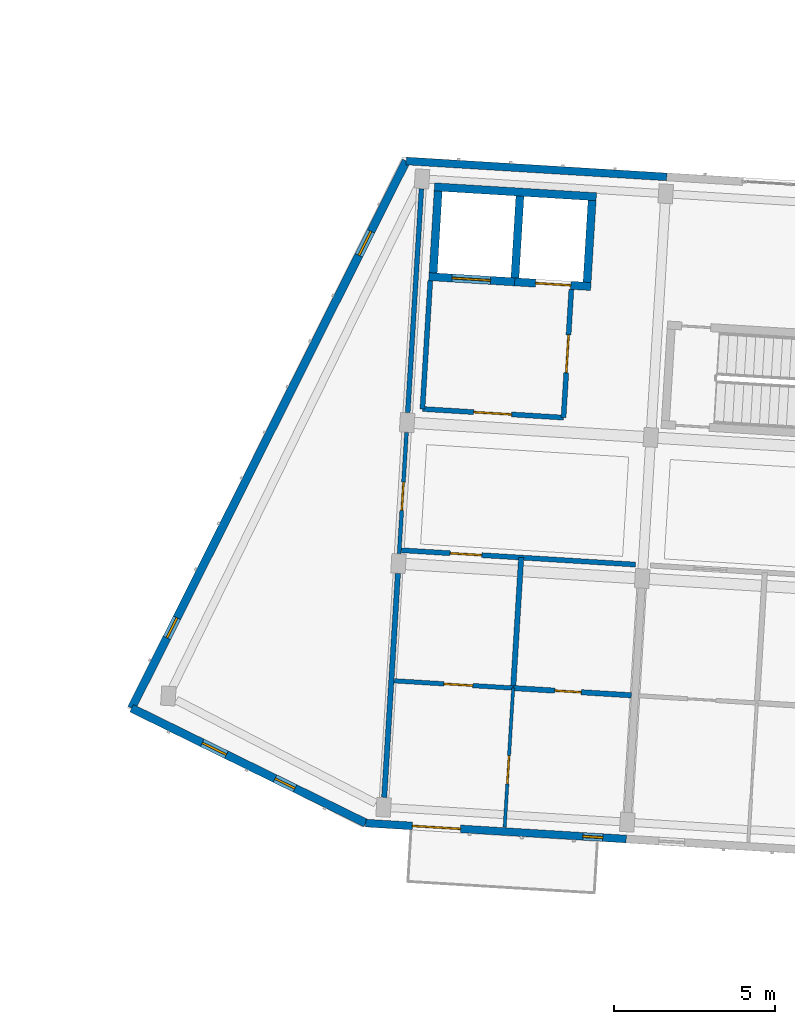
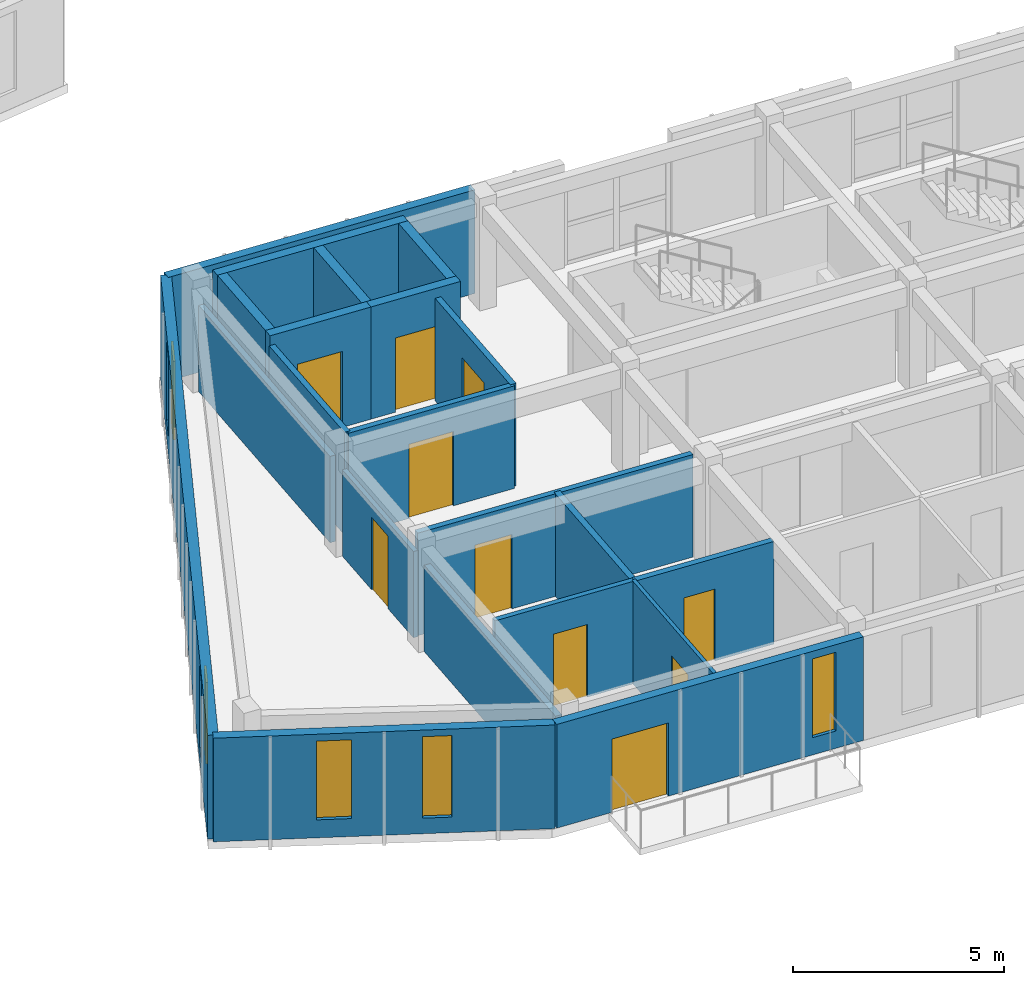
# One storey, part 19 of 56: 21 walls, 10 doors, 5 windows, 15 openings.
"""IFC4 building model written with IfcOpenShell, lengths in metres."""

from ifc_helpers import new_model, si_unit, direction, frame, frame_2d, origin, place, context, subcontext, project, spatial, rectangle, extrude, material, layer, layer_set, type_object, element, fill, save


model = new_model("IFC4")

# Units and contexts
model_context = context("Model", 3, precision=1e-05, world=origin(), true_north=direction((0.0, 1.0)))
body_context = subcontext(model_context, "Body", "Model", "MODEL_VIEW")
ifc_project = project(units=[si_unit("LENGTHUNIT", "METRE"), si_unit("AREAUNIT", "SQUARE_METRE"), si_unit("VOLUMEUNIT", "CUBIC_METRE"), si_unit("PLANEANGLEUNIT", "RADIAN"), si_unit("MASSUNIT", "GRAM", prefix="KILO")], contexts=[model_context])

# Site, building, storey
site_placement = place(None, origin())
site = spatial("IfcSite", under=ifc_project, at=site_placement, CompositionType="ELEMENT")
building_placement = place(site_placement, origin())
building = spatial("IfcBuilding", under=site, at=building_placement, Name="Kestramere Prow Commons", CompositionType="ELEMENT")
storey_placement = place(building_placement, frame((0.0, 0.0, 27.89990234375)))
storey = spatial("IfcBuildingStorey", under=building, at=storey_placement, Name="L08", CompositionType="ELEMENT", Elevation=27.89990234375)

# Wall, openings, windows
ifc_material_1 = material(Name="Weathered Zinc-Titanium Standing-Seam Cladding")
ifc_layer_1 = layer(ifc_material_1, 0.260009765625)
ifc_layer_set_1 = layer_set([ifc_layer_1], Name="Weathered Zinc-Titanium Standing-Seam Cladding")
wall_type_1 = type_object("IfcWallType", Name="EW-PROW-260", PredefinedType="SOLIDWALL", material=ifc_layer_set_1)
wall_1_placement = place(storey_placement, frame((58.94384765625, 46.008056640625, 0.0), z_axis=(0.0, 0.0, 1.0), x_axis=(-0.897775054318, 0.440454256246, 0.0)))
wall_1 = element("IfcWall", 1, at=wall_1_placement, inside=storey, type_object=wall_type_1, Name="Block C L08 PRW-S Facet Wall", PredefinedType="SOLIDWALL", context=body_context, shape_type="SweptSolid", body=[
    extrude(rectangle(XDim=8.120361328125, YDim=0.260009765625, at=frame_2d((4.06005859375, 0.0))), origin(), (0.0, 0.0, 1.0), 3.0),
])
opening_1_placement = place(wall_1_placement, frame((2.449951171875, 0.0, 0.449951171875)))
opening_1 = element("IfcOpeningElement", 2, at=opening_1_placement, cuts=wall_1, Name="Opening WN-07", PredefinedType="OPENING", context=body_context, shape_type="SweptSolid", body=[
    extrude(rectangle(XDim=0.699951171875, YDim=2.360107421875, at=frame_2d((0.35009765625, 1.18017578125))), frame((0.0, 0.14501953125, 0.0), z_axis=(0.0, -1.0, 0.0), x_axis=(1.0, 0.0, 0.0)), (0.0, 0.0, 1.0), 0.2900390625),
])
opening_2_placement = place(wall_1_placement, frame((4.830322265625, 0.0, 0.52001953125)))
opening_2 = element("IfcOpeningElement", 3, at=opening_2_placement, cuts=wall_1, Name="Opening WN-14", PredefinedType="OPENING", context=body_context, shape_type="SweptSolid", body=[
    extrude(rectangle(XDim=0.840087890625, YDim=2.280029296875, at=frame_2d((0.419921875, 1.14013671875))), frame((0.0, 0.14501953125, 0.0), z_axis=(0.0, -1.0, 0.0), x_axis=(1.0, 0.0, 0.0)), (0.0, 0.0, 1.0), 0.2900390625),
])
ifc_material_2 = material(Name="Low-E Laminated Double Glazing", Category="glass")
window_type_1 = type_object("IfcWindowType", Name="WN-NAR-700A", PartitioningType="SINGLE_PANEL", PredefinedType="WINDOW", material=ifc_material_2)
window_1_placement = place(opening_1_placement, origin())
window_1 = element("IfcWindow", 4, at=window_1_placement, inside=storey, type_object=window_type_1, Name="WN-C-L08-PRW-S-0", OverallHeight=2.360107421875, OverallWidth=0.699951171875, PartitioningType="SINGLE_PANEL", PredefinedType="WINDOW", context=body_context, shape_type="SweptSolid", body=[
    extrude(rectangle(XDim=0.699951171875, YDim=2.360107421875, at=frame_2d((0.35009765625, 1.18017578125))), frame((0.0, 0.030029296875, 0.0), z_axis=(0.0, -1.0, 0.0), x_axis=(1.0, 0.0, 0.0)), (0.0, 0.0, 1.0), 0.06005859375),
])
fill(opening_1, window_1)
window_type_2 = type_object("IfcWindowType", Name="WN-NAR-840A", PartitioningType="DOUBLE_PANEL_VERTICAL", PredefinedType="WINDOW", material=ifc_material_2)
window_2_placement = place(opening_2_placement, origin())
window_2 = element("IfcWindow", 5, at=window_2_placement, inside=storey, type_object=window_type_2, Name="WN-C-L08-PRW-S-1", OverallHeight=2.280029296875, OverallWidth=0.840087890625, PartitioningType="SINGLE_PANEL", PredefinedType="WINDOW", context=body_context, shape_type="SweptSolid", body=[
    extrude(rectangle(XDim=0.840087890625, YDim=2.280029296875, at=frame_2d((0.419921875, 1.14013671875))), frame((0.0, 0.030029296875, 0.0), z_axis=(0.0, -1.0, 0.0), x_axis=(1.0, 0.0, 0.0)), (0.0, 0.0, 1.0), 0.06005859375),
])
fill(opening_2, window_2)

wall_2_placement = place(storey_placement, frame((51.653564453125, 49.584716796875, 0.0), z_axis=(0.0, 0.0, 1.0), x_axis=(0.448621989068, 0.893721607059, 0.0)))
wall_2 = element("IfcWall", 6, at=wall_2_placement, inside=storey, type_object=wall_type_1, Name="Block C L08 PRW-N Facet Wall", PredefinedType="SOLIDWALL", context=body_context, shape_type="SweptSolid", body=[
    extrude(rectangle(XDim=19.060546875, YDim=0.260009765625, at=frame_2d((9.5302734375, 0.0))), origin(), (0.0, 0.0, 1.0), 3.0),
])
opening_3_placement = place(wall_2_placement, frame((2.449951171875, 0.0, 0.449951171875)))
opening_3 = element("IfcOpeningElement", 7, at=opening_3_placement, cuts=wall_2, Name="Opening WN-07", PredefinedType="OPENING", context=body_context, shape_type="SweptSolid", body=[
    extrude(rectangle(XDim=0.699951171875, YDim=2.360107421875, at=frame_2d((0.35009765625, 1.18017578125))), frame((0.0, 0.14501953125, 0.0), z_axis=(0.0, -1.0, 0.0), x_axis=(1.0, 0.0, 0.0)), (0.0, 0.0, 1.0), 0.2900390625),
])
opening_4_placement = place(wall_2_placement, frame((15.7705078125, 0.0, 0.52001953125)))
opening_4 = element("IfcOpeningElement", 8, at=opening_4_placement, cuts=wall_2, Name="Opening WN-14", PredefinedType="OPENING", context=body_context, shape_type="SweptSolid", body=[
    extrude(rectangle(XDim=0.840087890625, YDim=2.280029296875, at=frame_2d((0.419921875, 1.14013671875))), frame((0.0, 0.14501953125, 0.0), z_axis=(0.0, -1.0, 0.0), x_axis=(1.0, 0.0, 0.0)), (0.0, 0.0, 1.0), 0.2900390625),
])
window_3_placement = place(opening_3_placement, origin())
window_3 = element("IfcWindow", 9, at=window_3_placement, inside=storey, type_object=window_type_1, Name="WN-C-L08-PRW-N-0", OverallHeight=2.360107421875, OverallWidth=0.699951171875, PartitioningType="SINGLE_PANEL", PredefinedType="WINDOW", context=body_context, shape_type="SweptSolid", body=[
    extrude(rectangle(XDim=0.699951171875, YDim=2.360107421875, at=frame_2d((0.35009765625, 1.18017578125))), frame((0.0, 0.030029296875, 0.0), z_axis=(0.0, -1.0, 0.0), x_axis=(1.0, 0.0, 0.0)), (0.0, 0.0, 1.0), 0.06005859375),
])
fill(opening_3, window_3)
window_4_placement = place(opening_4_placement, origin())
window_4 = element("IfcWindow", 10, at=window_4_placement, inside=storey, type_object=window_type_2, Name="WN-C-L08-PRW-N-1", OverallHeight=2.280029296875, OverallWidth=0.840087890625, PartitioningType="SINGLE_PANEL", PredefinedType="WINDOW", context=body_context, shape_type="SweptSolid", body=[
    extrude(rectangle(XDim=0.840087890625, YDim=2.280029296875, at=frame_2d((0.419921875, 1.14013671875))), frame((0.0, 0.030029296875, 0.0), z_axis=(0.0, -1.0, 0.0), x_axis=(1.0, 0.0, 0.0)), (0.0, 0.0, 1.0), 0.06005859375),
])
fill(opening_4, window_4)

# Wall, openings, door, window
ifc_material_3 = material(Name="Fluoropolymer Standing-Seam Zinc-Aluminium Cladding", Category="aluminium")
ifc_layer_2 = layer(ifc_material_3, 0.239990234375)
ifc_layer_set_2 = layer_set([ifc_layer_2], Name="Fluoropolymer Standing-Seam Zinc-Aluminium Cladding")
wall_type_2 = type_object("IfcWallType", Name="EW-SEAM-240", PredefinedType="SOLIDWALL", material=ifc_layer_set_2)
wall_3_placement = place(storey_placement, frame((67.0537109375, 45.511962890625, 0.0), z_axis=(0.0, 0.0, 1.0), x_axis=(-0.998134248939, 0.061057522844, 0.0)))
wall_3 = element("IfcWall", 11, at=wall_3_placement, inside=storey, type_object=wall_type_2, Name="Block C L08 South Standing-Seam Wall 1", PredefinedType="SOLIDWALL", context=body_context, shape_type="SweptSolid", body=[
    extrude(rectangle(XDim=8.125, YDim=0.239990234375, at=frame_2d((4.0625, 0.0))), origin(), (0.0, 0.0, 1.0), 3.0),
])
opening_5_placement = place(wall_3_placement, frame((5.1689453125, 0.0, 0.0)))
opening_5 = element("IfcOpeningElement", 12, at=opening_5_placement, cuts=wall_3, Name="Opening GD-BAL-01", PredefinedType="OPENING", context=body_context, shape_type="SweptSolid", body=[
    extrude(rectangle(XDim=1.5, YDim=2.1201171875, at=frame_2d((0.75, 1.06005859375))), frame((0.0, 0.135009765625, 0.0), z_axis=(0.0, -1.0, 0.0), x_axis=(1.0, 0.0, 0.0)), (0.0, 0.0, 1.0), 0.27001953125),
])
opening_6_placement = place(wall_3_placement, frame((0.72998046875, 0.0, 0.5)))
opening_6 = element("IfcOpeningElement", 13, at=opening_6_placement, cuts=wall_3, Name="Opening WN-03", PredefinedType="OPENING", context=body_context, shape_type="SweptSolid", body=[
    extrude(rectangle(XDim=0.6201171875, YDim=2.280029296875, at=frame_2d((0.31005859375, 1.14013671875))), frame((0.0, 0.135009765625, 0.0), z_axis=(0.0, -1.0, 0.0), x_axis=(1.0, 0.0, 0.0)), (0.0, 0.0, 1.0), 0.27001953125),
])
ifc_material_4 = material(Name="Thermally-Broken Anodised Aluminium Glazed", Category="aluminium")
door_type_1 = type_object("IfcDoorType", Name="GD-BAL-1500", OperationType="SLIDING_TO_RIGHT", PredefinedType="DOOR", material=ifc_material_4)
door_1_placement = place(opening_5_placement, origin())
door_1 = element("IfcDoor", 14, at=door_1_placement, inside=storey, type_object=door_type_1, Name="Block C L08 Balcony Door 1", OperationType="SLIDING_TO_RIGHT", OverallHeight=2.1201171875, OverallWidth=1.5, PredefinedType="DOOR", context=body_context, shape_type="SweptSolid", body=[
    extrude(rectangle(XDim=1.5, YDim=2.1201171875, at=frame_2d((0.75, 1.06005859375))), frame((0.0, 0.02490234375, 0.0), z_axis=(0.0, -1.0, 0.0), x_axis=(1.0, 0.0, 0.0)), (0.0, 0.0, 1.0), 0.050048828125),
])
fill(opening_5, door_1)
window_type_3 = type_object("IfcWindowType", Name="WN-NAR-620A", PartitioningType="SINGLE_PANEL", PredefinedType="WINDOW", material=ifc_material_2)
window_5_placement = place(opening_6_placement, origin())
window_5 = element("IfcWindow", 15, at=window_5_placement, inside=storey, type_object=window_type_3, Name="WN-C-L08-SR-0", OverallHeight=2.280029296875, OverallWidth=0.6201171875, PartitioningType="SINGLE_PANEL", PredefinedType="WINDOW", context=body_context, shape_type="SweptSolid", body=[
    extrude(rectangle(XDim=0.6201171875, YDim=2.280029296875, at=frame_2d((0.31005859375, 1.14013671875))), frame((0.0, 0.030029296875, 0.0), z_axis=(0.0, -1.0, 0.0), x_axis=(1.0, 0.0, 0.0)), (0.0, 0.0, 1.0), 0.06005859375),
])
fill(opening_6, window_5)

# Walls
wall_4_placement = place(storey_placement, frame((60.20458984375, 66.61962890625, 0.0), z_axis=(0.0, 0.0, 1.0), x_axis=(0.998134248939, -0.061057522844, 0.0)))
element("IfcWall", 16, at=wall_4_placement, inside=storey, type_object=wall_type_2, Name="Block C L08 North Standing-Seam Wall 1", PredefinedType="SOLIDWALL", context=body_context, shape_type="SweptSolid", body=[
    extrude(rectangle(XDim=8.125, YDim=0.239990234375, at=frame_2d((4.0625, 0.0))), origin(), (0.0, 0.0, 1.0), 3.0),
])
ifc_material_5 = material(Name="Concrete C40/50", Category="concrete")
ifc_layer_3 = layer(ifc_material_5, 0.25)
ifc_layer_set_3 = layer_set([ifc_layer_3], Name="Concrete C40/50")
wall_type_3 = type_object("IfcWallType", Name="W-CORE-250", PredefinedType="SHEAR", material=ifc_layer_set_3)
wall_5_placement = place(storey_placement, frame((61.08203125, 65.814453125, 0.0), z_axis=(0.0, 0.0, 1.0), x_axis=(0.998134101522, -0.061059932685, 0.0)))
element("IfcWall", 17, at=wall_5_placement, inside=storey, type_object=wall_type_3, Name="Block C L08 Lift Core Back Wall", PredefinedType="SHEAR", context=body_context, shape_type="SweptSolid", body=[
    extrude(rectangle(XDim=5.050048828125, YDim=0.25, at=frame_2d((2.52490234375, 0.0))), origin(), (0.0, 0.0, 1.0), 3.25),
])

# Wall, opening, door
wall_6_placement = place(storey_placement, frame((60.9111328125, 63.019775390625, 0.0), z_axis=(0.0, 0.0, 1.0), x_axis=(0.998134099905, -0.061059959111, 0.0)))
wall_6 = element("IfcWall", 18, at=wall_6_placement, inside=storey, type_object=wall_type_3, Name="Block C L08 Fire Lift Shaft Front Wall", PredefinedType="SHEAR", context=body_context, shape_type="SweptSolid", body=[
    extrude(rectangle(XDim=2.6748046875, YDim=0.25, at=frame_2d((1.33740234375, 0.0))), origin(), (0.0, 0.0, 1.0), 3.25),
])
opening_7_placement = place(wall_6_placement, frame((0.719970703125, 0.0, 0.0)))
opening_7 = element("IfcOpeningElement", 19, at=opening_7_placement, cuts=wall_6, Name="Opening LD-02", PredefinedType="OPENING", context=body_context, shape_type="SweptSolid", body=[
    extrude(rectangle(XDim=1.199951171875, YDim=2.199951171875, at=frame_2d((0.60009765625, 1.10009765625))), frame((0.0, 0.139892578125, 0.0), z_axis=(0.0, -1.0, 0.0), x_axis=(1.0, 0.0, 0.0)), (0.0, 0.0, 1.0), 0.280029296875),
])
ifc_material_6 = material(Name="Brushed Stainless Steel 316", Category="steel")
door_type_2 = type_object("IfcDoorType", Name="LD-02", OperationType="DOUBLE_DOOR_SLIDING", PredefinedType="DOOR", material=ifc_material_6)
door_2_placement = place(opening_7_placement, origin())
door_2 = element("IfcDoor", 20, at=door_2_placement, inside=storey, type_object=door_type_2, Name="FL-C1 L08 Lift Landing Door", OperationType="DOUBLE_DOOR_SLIDING", OverallHeight=2.199951171875, OverallWidth=1.199951171875, PredefinedType="DOOR", context=body_context, shape_type="SweptSolid", body=[
    extrude(rectangle(XDim=1.199951171875, YDim=2.199951171875, at=frame_2d((0.60009765625, 1.10009765625))), frame((0.0, 0.02490234375, 0.0), z_axis=(0.0, -1.0, 0.0), x_axis=(1.0, 0.0, 0.0)), (0.0, 0.0, 1.0), 0.050048828125),
])
fill(opening_7, door_2)

wall_7_placement = place(storey_placement, frame((63.5810546875, 62.8564453125, 0.0), z_axis=(0.0, 0.0, 1.0), x_axis=(0.998134103342, -0.061059902923, 0.0)))
wall_7 = element("IfcWall", 21, at=wall_7_placement, inside=storey, type_object=wall_type_3, Name="Block C L08 Passenger Lift Shaft Front Wall", PredefinedType="SHEAR", context=body_context, shape_type="SweptSolid", body=[
    extrude(rectangle(XDim=2.375, YDim=0.25, at=frame_2d((1.1875, 0.0))), origin(), (0.0, 0.0, 1.0), 3.25),
])
opening_8_placement = place(wall_7_placement, frame((0.64990234375, 0.0, 0.0)))
opening_8 = element("IfcOpeningElement", 22, at=opening_8_placement, cuts=wall_7, Name="Opening LD-01", PredefinedType="OPENING", context=body_context, shape_type="SweptSolid", body=[
    extrude(rectangle(XDim=1.10009765625, YDim=2.14990234375, at=frame_2d((0.550048828125, 1.074951171875))), frame((0.0, 0.139892578125, 0.0), z_axis=(0.0, -1.0, 0.0), x_axis=(1.0, 0.0, 0.0)), (0.0, 0.0, 1.0), 0.280029296875),
])
ifc_material_7 = material(Name="Brushed Stainless Steel 304", Category="steel")
door_type_3 = type_object("IfcDoorType", Name="LD-01", OperationType="DOUBLE_DOOR_SLIDING", PredefinedType="DOOR", material=ifc_material_7)
door_3_placement = place(opening_8_placement, origin())
door_3 = element("IfcDoor", 23, at=door_3_placement, inside=storey, type_object=door_type_3, Name="PL-C2 L08 Lift Landing Door", OperationType="DOUBLE_DOOR_SLIDING", OverallHeight=2.14990234375, OverallWidth=1.10009765625, PredefinedType="DOOR", context=body_context, shape_type="SweptSolid", body=[
    extrude(rectangle(XDim=1.10009765625, YDim=2.14990234375, at=frame_2d((0.550048828125, 1.074951171875))), frame((0.0, 0.02490234375, 0.0), z_axis=(0.0, -1.0, 0.0), x_axis=(1.0, 0.0, 0.0)), (0.0, 0.0, 1.0), 0.050048828125),
])
fill(opening_8, door_3)

# Walls
wall_8_placement = place(storey_placement, frame((61.04345703125, 63.13671875, 0.0), z_axis=(0.0, 0.0, 1.0), x_axis=(0.061078919587, 0.998132939834, 0.0)))
element("IfcWall", 24, at=wall_8_placement, inside=storey, type_object=wall_type_3, Name="Block C L08 Lift Core Side Wall L", PredefinedType="SHEAR", context=body_context, shape_type="SweptSolid", body=[
    extrude(rectangle(XDim=2.55029296875, YDim=0.25, at=frame_2d((1.275146484375, 0.0))), origin(), (0.0, 0.0, 1.0), 3.25),
])
wall_9_placement = place(storey_placement, frame((63.5888671875, 62.981201171875, 0.0), z_axis=(0.0, 0.0, 1.0), x_axis=(0.060989368901, 0.998138415692, 0.0)))
element("IfcWall", 25, at=wall_9_placement, inside=storey, type_object=wall_type_3, Name="Block C L08 Lift Core Side Wall M", PredefinedType="SHEAR", context=body_context, shape_type="SweptSolid", body=[
    extrude(rectangle(XDim=2.5498046875, YDim=0.25, at=frame_2d((1.27490234375, 0.0))), origin(), (0.0, 0.0, 1.0), 3.25),
])
wall_10_placement = place(storey_placement, frame((65.83447265625, 62.84375, 0.0), z_axis=(0.0, 0.0, 1.0), x_axis=(0.061084756616, 0.998132582631, 0.0)))
element("IfcWall", 26, at=wall_10_placement, inside=storey, type_object=wall_type_3, Name="Block C L08 Lift Core Side Wall R", PredefinedType="SHEAR", context=body_context, shape_type="SweptSolid", body=[
    extrude(rectangle(XDim=2.550048828125, YDim=0.25, at=frame_2d((1.27490234375, 0.0))), origin(), (0.0, 0.0, 1.0), 3.25),
])

# Wall, opening, door
ifc_material_8 = material(Name="Fire-Rated Calcium Silicate Wall")
ifc_layer_4 = layer(ifc_material_8, 0.155029296875)
ifc_layer_set_4 = layer_set([ifc_layer_4], Name="Fire-Rated Calcium Silicate Wall")
wall_type_4 = type_object("IfcWallType", Name="W-FIRE-150", PredefinedType="PARTITIONING", material=ifc_layer_set_4)
wall_11_placement = place(storey_placement, frame((60.709228515625, 58.8994140625, 0.0), z_axis=(0.0, 0.0, 1.0), x_axis=(0.998132276607, -0.061089756882, 0.0)))
wall_11 = element("IfcWall", 27, at=wall_11_placement, inside=storey, type_object=wall_type_4, Name="Interior Partition PW-C-L08-FFL-S", PredefinedType="PARTITIONING", context=body_context, shape_type="SweptSolid", body=[
    extrude(rectangle(XDim=4.400146484375, YDim=0.155029296875, at=frame_2d((2.2001953125, 0.0))), origin(), (0.0, 0.0, 1.0), 2.97021484375),
])
opening_9_placement = place(wall_11_placement, frame((1.60009765625, 0.0, 0.0)))
opening_9 = element("IfcOpeningElement", 28, at=opening_9_placement, cuts=wall_11, Name="Opening ID-03", PredefinedType="OPENING", context=body_context, shape_type="SweptSolid", body=[
    extrude(rectangle(XDim=1.179931640625, YDim=2.14990234375, at=frame_2d((0.58984375, 1.074951171875))), frame((0.0, 0.092529296875, 0.0), z_axis=(0.0, -1.0, 0.0), x_axis=(1.0, 0.0, 0.0)), (0.0, 0.0, 1.0), 0.18505859375),
])
ifc_material_9 = material(Name="Fire-Rated Glazed Smoke-Stop Door")
door_type_4 = type_object("IfcDoorType", Name="FD-LB-01", OperationType="NOTDEFINED", PredefinedType="DOOR", material=ifc_material_9)
door_4_placement = place(opening_9_placement, origin())
door_4 = element("IfcDoor", 29, at=door_4_placement, inside=storey, type_object=door_type_4, Name="Interior Door DR-C-L08-FFL", OperationType="SINGLE_SWING_LEFT", OverallHeight=2.14990234375, OverallWidth=1.179931640625, PredefinedType="DOOR", context=body_context, shape_type="SweptSolid", body=[
    extrude(rectangle(XDim=1.179931640625, YDim=2.14990234375, at=frame_2d((0.58984375, 1.074951171875))), frame((0.0, 0.02490234375, 0.0), z_axis=(0.0, -1.0, 0.0), x_axis=(1.0, 0.0, 0.0)), (0.0, 0.0, 1.0), 0.050048828125),
])
fill(opening_9, door_4)

# Wall
wall_12_placement = place(storey_placement, frame((60.709228515625, 58.8994140625, 0.0), z_axis=(0.0, 0.0, 1.0), x_axis=(0.061036844229, 0.998135513669, 0.0)))
element("IfcWall", 30, at=wall_12_placement, inside=storey, type_object=wall_type_4, Name="Interior Partition PW-C-L08-FFL-W", PredefinedType="PARTITIONING", context=body_context, shape_type="SweptSolid", body=[
    extrude(rectangle(XDim=4.0, YDim=0.155029296875, at=frame_2d((2.0, 0.0))), origin(), (0.0, 0.0, 1.0), 2.97021484375),
])

# Wall, opening, door
wall_13_placement = place(storey_placement, frame((65.10107421875, 58.630615234375, 0.0), z_axis=(0.0, 0.0, 1.0), x_axis=(0.061033125904, 0.99813574104, 0.0)))
wall_13 = element("IfcWall", 31, at=wall_13_placement, inside=storey, type_object=wall_type_4, Name="Interior Partition PW-C-L08-FFL-E", PredefinedType="PARTITIONING", context=body_context, shape_type="SweptSolid", body=[
    extrude(rectangle(XDim=4.000244140625, YDim=0.155029296875, at=frame_2d((2.0, 0.0))), origin(), (0.0, 0.0, 1.0), 2.97021484375),
])
opening_10_placement = place(wall_13_placement, frame((1.39990234375, 0.0, 0.0)))
opening_10 = element("IfcOpeningElement", 32, at=opening_10_placement, cuts=wall_13, Name="Opening ID-03", PredefinedType="OPENING", context=body_context, shape_type="SweptSolid", body=[
    extrude(rectangle(XDim=1.179931640625, YDim=2.14990234375, at=frame_2d((0.58984375, 1.074951171875))), frame((0.0, 0.092529296875, 0.0), z_axis=(0.0, -1.0, 0.0), x_axis=(1.0, 0.0, 0.0)), (0.0, 0.0, 1.0), 0.18505859375),
])
door_5_placement = place(opening_10_placement, origin())
door_5 = element("IfcDoor", 33, at=door_5_placement, inside=storey, type_object=door_type_4, Name="Interior Door DR-C-L08-FFL-PL", OperationType="SINGLE_SWING_LEFT", OverallHeight=2.14990234375, OverallWidth=1.179931640625, PredefinedType="DOOR", context=body_context, shape_type="SweptSolid", body=[
    extrude(rectangle(XDim=1.179931640625, YDim=2.14990234375, at=frame_2d((0.58984375, 1.074951171875))), frame((0.0, 0.02490234375, 0.0), z_axis=(0.0, -1.0, 0.0), x_axis=(1.0, 0.0, 0.0)), (0.0, 0.0, 1.0), 0.050048828125),
])
fill(opening_10, door_5)

wall_14_placement = place(storey_placement, frame((60.0595703125, 54.500732421875, 0.0), z_axis=(0.0, 0.0, 1.0), x_axis=(0.998135030865, -0.061044739012, 0.0)))
wall_14 = element("IfcWall", 34, at=wall_14_placement, inside=storey, type_object=wall_type_4, Name="Interior Partition PW-C-L08-CS-0", PredefinedType="PARTITIONING", context=body_context, shape_type="SweptSolid", body=[
    extrude(rectangle(XDim=7.294921875, YDim=0.155029296875, at=frame_2d((3.6474609375, 0.0))), origin(), (0.0, 0.0, 1.0), 2.97021484375),
])
opening_11_placement = place(wall_14_placement, frame((1.52001953125, 0.0, 0.0)))
opening_11 = element("IfcOpeningElement", 35, at=opening_11_placement, cuts=wall_14, Name="Opening ID-04", PredefinedType="OPENING", context=body_context, shape_type="SweptSolid", body=[
    extrude(rectangle(XDim=0.97998046875, YDim=2.14990234375, at=frame_2d((0.489990234375, 1.074951171875))), frame((0.0, 0.092529296875, 0.0), z_axis=(0.0, -1.0, 0.0), x_axis=(1.0, 0.0, 0.0)), (0.0, 0.0, 1.0), 0.18505859375),
])
ifc_material_10 = material(Name="Hardwood Fire-Rated Flat Entrance Door", Category="wood")
door_type_5 = type_object("IfcDoorType", Name="FD-ENT-01", OperationType="NOTDEFINED", PredefinedType="DOOR", material=ifc_material_10)
door_6_placement = place(opening_11_placement, origin())
door_6 = element("IfcDoor", 36, at=door_6_placement, inside=storey, type_object=door_type_5, Name="Interior Door DR-C-L08-ENT-S0", OperationType="SINGLE_SWING_LEFT", OverallHeight=2.14990234375, OverallWidth=0.97998046875, PredefinedType="DOOR", context=body_context, shape_type="SweptSolid", body=[
    extrude(rectangle(XDim=0.97998046875, YDim=2.14990234375, at=frame_2d((0.489990234375, 1.074951171875))), frame((0.0, 0.02490234375, 0.0), z_axis=(0.0, -1.0, 0.0), x_axis=(1.0, 0.0, 0.0)), (0.0, 0.0, 1.0), 0.050048828125),
])
fill(opening_11, door_6)

ifc_material_11 = material(Name="Gypsum Acoustic Drywall")
ifc_layer_5 = layer(ifc_material_11, 0.10009765625)
ifc_layer_set_5 = layer_set([ifc_layer_5], Name="Gypsum Acoustic Drywall")
wall_type_5 = type_object("IfcWallType", Name="W-PART-100", PredefinedType="PARTITIONING", material=ifc_layer_set_5)
wall_15_placement = place(storey_placement, frame((63.26904296875, 45.878662109375, 0.0), z_axis=(0.0, 0.0, 1.0), x_axis=(0.06103343432, 0.998135722182, 0.0)))
wall_15 = element("IfcWall", 37, at=wall_15_placement, inside=storey, type_object=wall_type_5, Name="Interior Partition PW-C-L08-LB-S0", PredefinedType="PARTITIONING", context=body_context, shape_type="SweptSolid", body=[
    extrude(rectangle(XDim=4.340087890625, YDim=0.10009765625, at=frame_2d((2.169921875, 0.0))), origin(), (0.0, 0.0, 1.0), 2.97021484375),
])
opening_12_placement = place(wall_15_placement, frame((1.35009765625, 0.0, 0.0)))
opening_12 = element("IfcOpeningElement", 38, at=opening_12_placement, cuts=wall_15, Name="Opening ID-10", PredefinedType="OPENING", context=body_context, shape_type="SweptSolid", body=[
    extrude(rectangle(XDim=0.8798828125, YDim=2.10009765625, at=frame_2d((0.43994140625, 1.050048828125))), frame((0.0, 0.06494140625, 0.0), z_axis=(0.0, -1.0, 0.0), x_axis=(1.0, 0.0, 0.0)), (0.0, 0.0, 1.0), 0.130126953125),
])
ifc_material_12 = material(Name="Engineered Timber Bedroom Door", Category="wood")
door_type_6 = type_object("IfcDoorType", Name="D-RM-03", OperationType="NOTDEFINED", PredefinedType="DOOR", material=ifc_material_12)
door_7_placement = place(opening_12_placement, origin())
door_7 = element("IfcDoor", 39, at=door_7_placement, inside=storey, type_object=door_type_6, Name="Interior Door DR-C-L08-BED-S0", OperationType="SINGLE_SWING_LEFT", OverallHeight=2.10009765625, OverallWidth=0.8798828125, PredefinedType="DOOR", context=body_context, shape_type="SweptSolid", body=[
    extrude(rectangle(XDim=0.8798828125, YDim=2.10009765625, at=frame_2d((0.43994140625, 1.050048828125))), frame((0.0, 0.02490234375, 0.0), z_axis=(0.0, -1.0, 0.0), x_axis=(1.0, 0.0, 0.0)), (0.0, 0.0, 1.0), 0.050048828125),
])
fill(opening_12, door_7)

ifc_material_13 = material(Name="Lightweight Blockwork and Plaster", Category="masonry")
ifc_layer_6 = layer(ifc_material_13, 0.1201171875)
ifc_layer_set_6 = layer_set([ifc_layer_6], Name="Lightweight Blockwork and Plaster")
wall_type_6 = type_object("IfcWallType", Name="W-PART-120", PredefinedType="PARTITIONING", material=ifc_layer_set_6)
wall_16_placement = place(storey_placement, frame((59.98291015625, 54.395263671875, 0.0), z_axis=(0.0, 0.0, 1.0), x_axis=(0.061035211258, 0.998135613525, 0.0)))
wall_16 = element("IfcWall", 40, at=wall_16_placement, inside=storey, type_object=wall_type_6, Name="Interior Partition PW-C-L08-PROW-ACC", PredefinedType="PARTITIONING", context=body_context, shape_type="SweptSolid", body=[
    extrude(rectangle(XDim=3.780029296875, YDim=0.1201171875, at=frame_2d((1.89013671875, 0.0))), origin(), (0.0, 0.0, 1.0), 2.5),
])
opening_13_placement = place(wall_16_placement, frame((1.35009765625, 0.0, 0.0)))
opening_13 = element("IfcOpeningElement", 41, at=opening_13_placement, cuts=wall_16, Name="Opening ID-10", PredefinedType="OPENING", context=body_context, shape_type="SweptSolid", body=[
    extrude(rectangle(XDim=0.8798828125, YDim=2.10009765625, at=frame_2d((0.43994140625, 1.050048828125))), frame((0.0, 0.074951171875, 0.0), z_axis=(0.0, -1.0, 0.0), x_axis=(1.0, 0.0, 0.0)), (0.0, 0.0, 1.0), 0.150146484375),
])
door_8_placement = place(opening_13_placement, origin())
door_8 = element("IfcDoor", 42, at=door_8_placement, inside=storey, type_object=door_type_6, Name="Interior Door DR-C-L08-PROW", OperationType="SINGLE_SWING_LEFT", OverallHeight=2.10009765625, OverallWidth=0.8798828125, PredefinedType="DOOR", context=body_context, shape_type="SweptSolid", body=[
    extrude(rectangle(XDim=0.8798828125, YDim=2.10009765625, at=frame_2d((0.43994140625, 1.050048828125))), frame((0.0, 0.02490234375, 0.0), z_axis=(0.0, -1.0, 0.0), x_axis=(1.0, 0.0, 0.0)), (0.0, 0.0, 1.0), 0.050048828125),
])
fill(opening_13, door_8)

ifc_material_14 = material(Name="Masonry Compartment Wall", Category="masonry")
ifc_layer_7 = layer(ifc_material_14, 0.139892578125)
ifc_layer_set_7 = layer_set([ifc_layer_7], Name="Masonry Compartment Wall")
wall_type_7 = type_object("IfcWallType", Name="W-PART-140", PredefinedType="PARTITIONING", material=ifc_layer_set_7)
wall_17_placement = place(storey_placement, frame((59.8310546875, 50.437255859375, 0.0), z_axis=(0.0, 0.0, 1.0), x_axis=(0.998133408508, -0.061071260176, 0.0)))
wall_17 = element("IfcWall", 43, at=wall_17_placement, inside=storey, type_object=wall_type_7, Name="Interior Partition PW-C-L08-MIDS1-0", PredefinedType="PARTITIONING", context=body_context, shape_type="SweptSolid", body=[
    extrude(rectangle(XDim=3.709716796875, YDim=0.139892578125, at=frame_2d((1.85498046875, 0.0))), origin(), (0.0, 0.0, 1.0), 2.97021484375),
])
opening_14_placement = place(wall_17_placement, frame((1.550048828125, 0.0, 0.0)))
opening_14 = element("IfcOpeningElement", 44, at=opening_14_placement, cuts=wall_17, Name="Opening ID-08", PredefinedType="OPENING", context=body_context, shape_type="SweptSolid", body=[
    extrude(rectangle(XDim=0.89990234375, YDim=2.10009765625, at=frame_2d((0.449951171875, 1.050048828125))), frame((0.0, 0.0849609375, 0.0), z_axis=(0.0, -1.0, 0.0), x_axis=(1.0, 0.0, 0.0)), (0.0, 0.0, 1.0), 0.169921875),
])
ifc_material_15 = material(Name="Engineered Timber Flush Door", Category="wood")
door_type_7 = type_object("IfcDoorType", Name="D-RM-01", OperationType="NOTDEFINED", PredefinedType="DOOR", material=ifc_material_15)
door_9_placement = place(opening_14_placement, origin())
door_9 = element("IfcDoor", 45, at=door_9_placement, inside=storey, type_object=door_type_7, Name="Interior Door DR-C-L08-KL-S0", OperationType="SINGLE_SWING_RIGHT", OverallHeight=2.10009765625, OverallWidth=0.89990234375, PredefinedType="DOOR", context=body_context, shape_type="SweptSolid", body=[
    extrude(rectangle(XDim=0.89990234375, YDim=2.10009765625, at=frame_2d((0.449951171875, 1.050048828125))), frame((0.0, 0.02490234375, 0.0), z_axis=(0.0, -1.0, 0.0), x_axis=(1.0, 0.0, 0.0)), (0.0, 0.0, 1.0), 0.050048828125),
])
fill(opening_14, door_9)

# Walls
ifc_layer_8 = layer(ifc_material_14, 0.14990234375)
ifc_layer_set_8 = layer_set([ifc_layer_8], Name="Masonry Compartment Wall")
wall_type_8 = type_object("IfcWallType", Name="W-PART-150", PredefinedType="PARTITIONING", material=ifc_layer_set_8)
wall_18_placement = place(storey_placement, frame((60.25146484375, 58.787109375, 0.0), z_axis=(0.0, 0.0, 1.0), x_axis=(0.061071659957, 0.998133384047, 0.0)))
element("IfcWall", 46, at=wall_18_placement, inside=storey, type_object=wall_type_8, Name="Interior Partition PW-C-L08-PRW-N", PredefinedType="PARTITIONING", context=body_context, shape_type="SweptSolid", body=[
    extrude(rectangle(XDim=6.979736328125, YDim=0.14990234375, at=frame_2d((3.48974609375, 0.0))), origin(), (0.0, 0.0, 1.0), 2.5),
])
ifc_material_16 = material(Name="Waterproof Sanitary Masonry Wall", Category="masonry")
ifc_layer_9 = layer(ifc_material_16, 0.1650390625)
ifc_layer_set_9 = layer_set([ifc_layer_9], Name="Waterproof Sanitary Masonry Wall")
wall_type_9 = type_object("IfcWallType", Name="W-PLUMB-150", PredefinedType="PLUMBINGWALL", material=ifc_layer_set_9)
wall_19_placement = place(storey_placement, frame((59.51904296875, 46.809326171875, 0.0), z_axis=(0.0, 0.0, 1.0), x_axis=(0.061034681366, 0.998135645927, 0.0)))
element("IfcWall", 47, at=wall_19_placement, inside=storey, type_object=wall_type_9, Name="Interior Partition PW-C-L08-PRWW-S", PredefinedType="PLUMBINGWALL", context=body_context, shape_type="SweptSolid", body=[
    extrude(rectangle(XDim=6.97998046875, YDim=0.1650390625, at=frame_2d((3.489990234375, 0.0))), origin(), (0.0, 0.0, 1.0), 2.5),
])

# Wall, opening, door
wall_20_placement = place(storey_placement, frame((63.533935546875, 50.210693359375, 0.0), z_axis=(0.0, 0.0, 1.0), x_axis=(0.998132682596, -0.061083123148, 0.0)))
wall_20 = element("IfcWall", 48, at=wall_20_placement, inside=storey, type_object=wall_type_9, Name="Interior Partition PW-C-L08-MIDS2-0", PredefinedType="PLUMBINGWALL", context=body_context, shape_type="SweptSolid", body=[
    extrude(rectangle(XDim=3.68505859375, YDim=0.1650390625, at=frame_2d((1.842529296875, 0.0))), origin(), (0.0, 0.0, 1.0), 2.97021484375),
])
opening_15_placement = place(wall_20_placement, frame((1.300048828125, 0.0, 0.0)))
opening_15 = element("IfcOpeningElement", 49, at=opening_15_placement, cuts=wall_20, Name="Opening ID-11", PredefinedType="OPENING", context=body_context, shape_type="SweptSolid", body=[
    extrude(rectangle(XDim=0.820068359375, YDim=2.080078125, at=frame_2d((0.41015625, 1.0400390625))), frame((0.0, 0.097412109375, 0.0), z_axis=(0.0, -1.0, 0.0), x_axis=(1.0, 0.0, 0.0)), (0.0, 0.0, 1.0), 0.195068359375),
])
ifc_material_17 = material(Name="Moisture-Resistant Timber Bathroom Door", Category="wood")
door_type_8 = type_object("IfcDoorType", Name="D-BT-01", OperationType="NOTDEFINED", PredefinedType="DOOR", material=ifc_material_17)
door_10_placement = place(opening_15_placement, origin())
door_10 = element("IfcDoor", 50, at=door_10_placement, inside=storey, type_object=door_type_8, Name="Interior Door DR-C-L08-BTH-S0", OperationType="SINGLE_SWING_LEFT", OverallHeight=2.080078125, OverallWidth=0.820068359375, PredefinedType="DOOR", context=body_context, shape_type="SweptSolid", body=[
    extrude(rectangle(XDim=0.820068359375, YDim=2.080078125, at=frame_2d((0.41015625, 1.0400390625))), frame((0.0, 0.02490234375, 0.0), z_axis=(0.0, -1.0, 0.0), x_axis=(1.0, 0.0, 0.0)), (0.0, 0.0, 1.0), 0.050048828125),
])
fill(opening_15, door_10)

# Wall
wall_21_placement = place(storey_placement, frame((63.533935546875, 50.210693359375, 0.0), z_axis=(0.0, 0.0, 1.0), x_axis=(0.061067374954, 0.99813364622, 0.0)))
element("IfcWall", 51, at=wall_21_placement, inside=storey, type_object=wall_type_9, Name="Interior Partition PW-C-L08-KB-S0", PredefinedType="PLUMBINGWALL", context=body_context, shape_type="SweptSolid", body=[
    extrude(rectangle(XDim=4.06982421875, YDim=0.1650390625, at=frame_2d((2.034912109375, 0.0))), origin(), (0.0, 0.0, 1.0), 2.97021484375),
])

save(model, "model.ifc")
